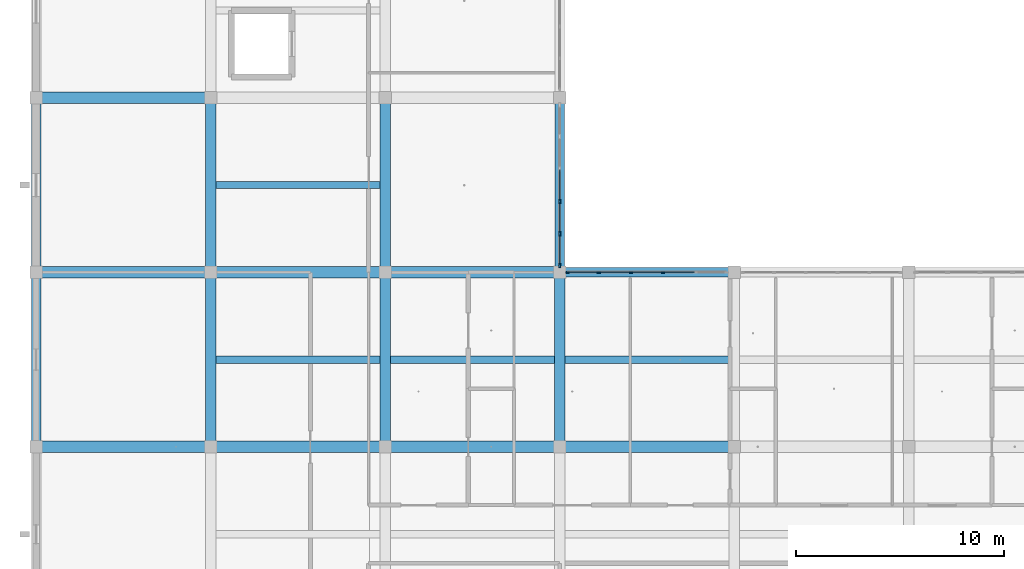
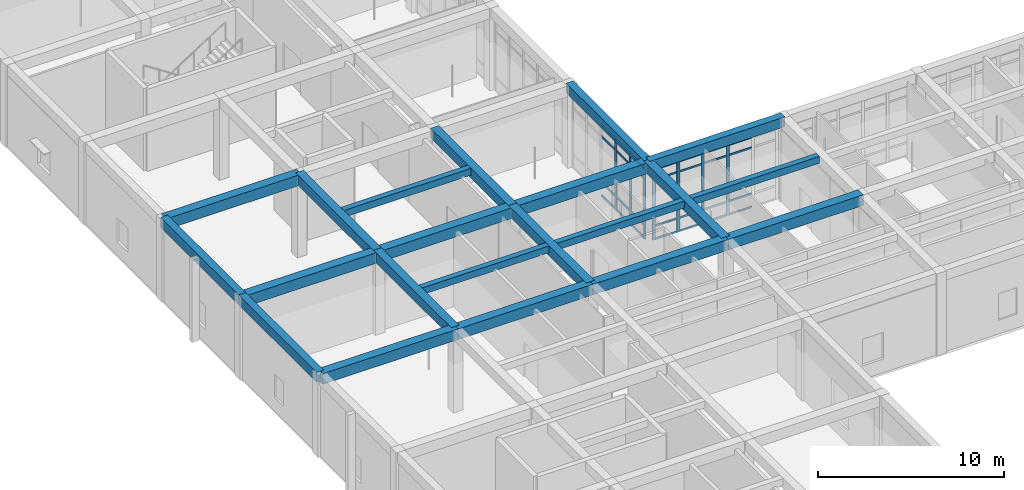
# One storey, part 10 of 157: 35 members, 21 beams, 2 elements without a shape of their own.
"""IFC4 building model written with IfcOpenShell, lengths in metres."""

from ifc_helpers import new_model, si_unit, direction, frame, origin, origin_2d, place, context, subcontext, project, spatial, rectangle, extrude, material, material_profile, profile_set, type_object, element, aggregate, save


model = new_model("IFC4")

# Units and contexts
model_context = context("Model", 3, precision=1e-05, world=origin(), true_north=direction((0.0, 1.0)))
body_context = subcontext(model_context, "Body", "Model", "MODEL_VIEW")
ifc_project = project(units=[si_unit("LENGTHUNIT", "METRE"), si_unit("AREAUNIT", "SQUARE_METRE"), si_unit("VOLUMEUNIT", "CUBIC_METRE"), si_unit("PLANEANGLEUNIT", "RADIAN"), si_unit("MASSUNIT", "GRAM", prefix="KILO")], contexts=[model_context])

# Site, building, storey
site_placement = place(None, origin())
site = spatial("IfcSite", under=ifc_project, at=site_placement, CompositionType="ELEMENT")
building_placement = place(site_placement, origin())
building = spatial("IfcBuilding", under=site, at=building_placement, Name="Varncliffe General Hospital", CompositionType="ELEMENT")
storey_placement = place(building_placement, frame((0.0, 0.0, 5.39990234375)))
storey = spatial("IfcBuildingStorey", under=building, at=storey_placement, Name="L01", CompositionType="ELEMENT", Elevation=5.39990234375)

# Beams
ifc_material_1 = material(Name="Concrete C35/45 (CSA A23.1 35 MPa)", Category="concrete")
ifc_material_profile_1 = material_profile(ifc_material_1, rectangle(XDim=0.5, YDim=0.64990234375, at=origin_2d()), Name="RC 500x650")
ifc_profile_set_1 = profile_set([ifc_material_profile_1], Name="Concrete C35/45 (CSA A23.1 35 MPa)")
beam_type_1 = type_object("IfcBeamType", Name="Beam B29 (Int RC 500x650)", PredefinedType="BEAM", material=ifc_profile_set_1)
beam_1_placement = place(storey_placement, frame((8.39990234375, 32.39990234375, 5.0751953125), z_axis=(0.0, 1.0, 0.0), x_axis=(-1.0, 0.0, 0.0)))
element("IfcBeam", 1, at=beam_1_placement, inside=storey, type_object=beam_type_1, Name="L01 Primary Beam B29-280", PredefinedType="BEAM", context=body_context, shape_type="SweptSolid", body=[
    extrude(rectangle(XDim=0.5, YDim=0.64990234375, at=origin_2d()), origin(), (0.0, 0.0, 1.0), 8.400146484375),
])
beam_2_placement = place(storey_placement, frame((8.39990234375, 40.800048828125, 5.0751953125), z_axis=(0.0, 1.0, 0.0), x_axis=(-1.0, 0.0, 0.0)))
element("IfcBeam", 2, at=beam_2_placement, inside=storey, type_object=beam_type_1, Name="L01 Primary Beam B29-281", PredefinedType="BEAM", context=body_context, shape_type="SweptSolid", body=[
    extrude(rectangle(XDim=0.5, YDim=0.64990234375, at=origin_2d()), origin(), (0.0, 0.0, 1.0), 8.39990234375),
])
beam_3_placement = place(storey_placement, frame((16.800048828125, 32.39990234375, 5.0751953125), z_axis=(0.0, 1.0, 0.0), x_axis=(-1.0, 0.0, 0.0)))
element("IfcBeam", 3, at=beam_3_placement, inside=storey, type_object=beam_type_1, Name="L01 Primary Beam B29-296", PredefinedType="BEAM", context=body_context, shape_type="SweptSolid", body=[
    extrude(rectangle(XDim=0.5, YDim=0.64990234375, at=origin_2d()), origin(), (0.0, 0.0, 1.0), 8.400146484375),
])
beam_4_placement = place(storey_placement, frame((16.800048828125, 40.800048828125, 5.0751953125), z_axis=(0.0, 1.0, 0.0), x_axis=(-1.0, 0.0, 0.0)))
element("IfcBeam", 4, at=beam_4_placement, inside=storey, type_object=beam_type_1, Name="L01 Primary Beam B29-297", PredefinedType="BEAM", context=body_context, shape_type="SweptSolid", body=[
    extrude(rectangle(XDim=0.5, YDim=0.64990234375, at=origin_2d()), origin(), (0.0, 0.0, 1.0), 8.39990234375),
])
beam_5_placement = place(storey_placement, frame((25.199951171875, 32.39990234375, 5.0751953125), z_axis=(0.0, 1.0, 0.0), x_axis=(-1.0, 0.0, 0.0)))
element("IfcBeam", 5, at=beam_5_placement, inside=storey, type_object=beam_type_1, Name="L01 Primary Beam B29-313", PredefinedType="BEAM", context=body_context, shape_type="SweptSolid", body=[
    extrude(rectangle(XDim=0.5, YDim=0.64990234375, at=origin_2d()), origin(), (0.0, 0.0, 1.0), 8.400146484375),
])
ifc_material_profile_2 = material_profile(ifc_material_1, rectangle(XDim=0.550048828125, YDim=0.699951171875, at=origin_2d()), Name="RC 550x700")
ifc_profile_set_2 = profile_set([ifc_material_profile_2], Name="Concrete C35/45 (CSA A23.1 35 MPa)")
beam_type_2 = type_object("IfcBeamType", Name="Beam B35 (Int RC 550x700)", PredefinedType="BEAM", material=ifc_profile_set_2)
beam_6_placement = place(storey_placement, frame((0.0, 32.39990234375, 5.050048828125), z_axis=(1.0, 0.0, 0.0), x_axis=(0.0, 1.0, 0.0)))
element("IfcBeam", 6, at=beam_6_placement, inside=storey, type_object=beam_type_2, Name="L01 Primary Beam B35-40", PredefinedType="BEAM", context=body_context, shape_type="SweptSolid", body=[
    extrude(rectangle(XDim=0.550048828125, YDim=0.699951171875, at=origin_2d()), origin(), (0.0, 0.0, 1.0), 8.39990234375),
])
beam_7_placement = place(storey_placement, frame((8.39990234375, 32.39990234375, 5.050048828125), z_axis=(1.0, 0.0, 0.0), x_axis=(0.0, 1.0, 0.0)))
element("IfcBeam", 7, at=beam_7_placement, inside=storey, type_object=beam_type_2, Name="L01 Primary Beam B35-41", PredefinedType="BEAM", context=body_context, shape_type="SweptSolid", body=[
    extrude(rectangle(XDim=0.550048828125, YDim=0.699951171875, at=origin_2d()), origin(), (0.0, 0.0, 1.0), 8.400146484375),
])
beam_8_placement = place(storey_placement, frame((16.800048828125, 32.39990234375, 5.050048828125), z_axis=(1.0, 0.0, 0.0), x_axis=(0.0, 1.0, 0.0)))
element("IfcBeam", 8, at=beam_8_placement, inside=storey, type_object=beam_type_2, Name="L01 Primary Beam B35-42", PredefinedType="BEAM", context=body_context, shape_type="SweptSolid", body=[
    extrude(rectangle(XDim=0.550048828125, YDim=0.699951171875, at=origin_2d()), origin(), (0.0, 0.0, 1.0), 8.39990234375),
])
beam_9_placement = place(storey_placement, frame((25.199951171875, 32.39990234375, 5.050048828125), z_axis=(1.0, 0.0, 0.0), x_axis=(0.0, 1.0, 0.0)))
element("IfcBeam", 9, at=beam_9_placement, inside=storey, type_object=beam_type_2, Name="L01 Primary Beam B35-43", PredefinedType="BEAM", context=body_context, shape_type="SweptSolid", body=[
    extrude(rectangle(XDim=0.550048828125, YDim=0.699951171875, at=origin_2d()), origin(), (0.0, 0.0, 1.0), 8.400146484375),
])
beam_10_placement = place(storey_placement, frame((0.0, 40.800048828125, 5.050048828125), z_axis=(1.0, 0.0, 0.0), x_axis=(0.0, 1.0, 0.0)))
element("IfcBeam", 10, at=beam_10_placement, inside=storey, type_object=beam_type_2, Name="L01 Primary Beam B35-53", PredefinedType="BEAM", context=body_context, shape_type="SweptSolid", body=[
    extrude(rectangle(XDim=0.550048828125, YDim=0.699951171875, at=origin_2d()), origin(), (0.0, 0.0, 1.0), 8.39990234375),
])
beam_11_placement = place(storey_placement, frame((8.39990234375, 40.800048828125, 5.050048828125), z_axis=(1.0, 0.0, 0.0), x_axis=(0.0, 1.0, 0.0)))
element("IfcBeam", 11, at=beam_11_placement, inside=storey, type_object=beam_type_2, Name="L01 Primary Beam B35-54", PredefinedType="BEAM", context=body_context, shape_type="SweptSolid", body=[
    extrude(rectangle(XDim=0.550048828125, YDim=0.699951171875, at=origin_2d()), origin(), (0.0, 0.0, 1.0), 8.400146484375),
])
for number, where, z_axis, x_axis, name in (
    (12, (16.800048828125, 40.800048828125, 5.050048828125), (1.0, 0.0, 0.0), (0.0, 1.0, 0.0), "L01 Primary Beam B35-55"),
    (13, (0.0, 49.199951171875, 5.050048828125), (1.0, 0.0, 0.0), (0.0, 1.0, 0.0), "L01 Primary Beam B35-67"),
):
    element("IfcBeam", number, at=place(storey_placement, frame(where, z_axis=z_axis, x_axis=x_axis)), inside=storey, type_object=beam_type_2, Name=name, PredefinedType="BEAM", context=body_context, shape_type="SweptSolid", body=[
        extrude(rectangle(XDim=0.550048828125, YDim=0.699951171875, at=origin_2d()), origin(), (0.0, 0.0, 1.0), 8.39990234375),
    ])

# Curtain wall, members
ifc_material_2 = material(Name="Triple low-E argon insulated vision glazing", Category="glass")
curtain_wall_type_1 = type_object("IfcCurtainWallType", Name="Unitised Glazed Curtain Wall CW70 (7724x4640)", PredefinedType="USERDEFINED", material=ifc_material_2)
curtain_wall_1_placement = place(storey_placement, origin())
curtain_wall_1 = element("IfcCurtainWall", 14, at=curtain_wall_1_placement, inside=storey, type_object=curtain_wall_type_1, Name="L01 Glazed Curtain Wall CW70-82", ObjectType="GLAZED CURTAIN WALL", PredefinedType="USERDEFINED")
ifc_material_3 = material(Name="Dark bronze thermally broken aluminium framing", Category="aluminium")
ifc_material_profile_3 = material_profile(ifc_material_3, rectangle(XDim=0.074951171875, YDim=0.179931640625, at=origin_2d()), Name="ALU 75x180")
ifc_profile_set_3 = profile_set([ifc_material_profile_3], Name="Dark bronze thermally broken aluminium framing")
member_type_1 = type_object("IfcMemberType", Name="Curtain Wall Mullion CM44 (ALU 75x180)", PredefinedType="MULLION", material=ifc_profile_set_3)
member_1_placement = place(storey_placement, frame((25.575439453125, 40.800048828125, 0.0), z_axis=(0.0, 0.0, 1.0), x_axis=(0.0, 1.0, 0.0)))
member_1 = element("IfcMember", 15, at=member_1_placement, type_object=member_type_1, Name="CW70 mullion 1", PredefinedType="MULLION", context=body_context, shape_type="SweptSolid", body=[
    extrude(rectangle(XDim=0.074951171875, YDim=0.179931640625, at=origin_2d()), origin(), (0.0, 0.0, 1.0), 4.64013671875),
])
member_2_placement = place(storey_placement, frame((27.082763671875, 40.800048828125, 0.0), z_axis=(0.0, 0.0, 1.0), x_axis=(0.0, 1.0, 0.0)))
member_2 = element("IfcMember", 16, at=member_2_placement, type_object=member_type_1, Name="CW70 mullion 2", PredefinedType="MULLION", context=body_context, shape_type="SweptSolid", body=[
    extrude(rectangle(XDim=0.074951171875, YDim=0.179931640625, at=origin_2d()), origin(), (0.0, 0.0, 1.0), 4.64013671875),
])
member_3_placement = place(storey_placement, frame((28.627685546875, 40.800048828125, 0.0), z_axis=(0.0, 0.0, 1.0), x_axis=(0.0, 1.0, 0.0)))
member_3 = element("IfcMember", 17, at=member_3_placement, type_object=member_type_1, Name="CW70 mullion 3", PredefinedType="MULLION", context=body_context, shape_type="SweptSolid", body=[
    extrude(rectangle(XDim=0.074951171875, YDim=0.179931640625, at=origin_2d()), origin(), (0.0, 0.0, 1.0), 4.64013671875),
])
member_4_placement = place(storey_placement, frame((30.17236328125, 40.800048828125, 0.0), z_axis=(0.0, 0.0, 1.0), x_axis=(0.0, 1.0, 0.0)))
member_4 = element("IfcMember", 18, at=member_4_placement, type_object=member_type_1, Name="CW70 mullion 4", PredefinedType="MULLION", context=body_context, shape_type="SweptSolid", body=[
    extrude(rectangle(XDim=0.074951171875, YDim=0.179931640625, at=origin_2d()), origin(), (0.0, 0.0, 1.0), 4.64013671875),
])

curtain_wall_type_2 = type_object("IfcCurtainWallType", Name="Unitised Glazed Curtain Wall CW85 (7804x4640)", PredefinedType="USERDEFINED", material=ifc_material_2)
curtain_wall_2_placement = place(storey_placement, origin())
curtain_wall_2 = element("IfcCurtainWall", 19, at=curtain_wall_2_placement, inside=storey, type_object=curtain_wall_type_2, Name="L01 Glazed Curtain Wall CW85-81", ObjectType="GLAZED CURTAIN WALL", PredefinedType="USERDEFINED")
ifc_material_profile_4 = material_profile(ifc_material_3, rectangle(XDim=0.074951171875, YDim=0.219970703125, at=origin_2d()), Name="ALU 75x220")
ifc_profile_set_4 = profile_set([ifc_material_profile_4], Name="Dark bronze thermally broken aluminium framing")
member_type_2 = type_object("IfcMemberType", Name="Curtain Wall Mullion CM74 (ALU 75x220)", PredefinedType="MULLION", material=ifc_profile_set_4)
member_5_placement = place(storey_placement, frame((25.199951171875, 44.219482421875, 0.0), z_axis=(0.0, 0.0, 1.0), x_axis=(1.0, 0.0, 0.0)))
member_5 = element("IfcMember", 20, at=member_5_placement, type_object=member_type_2, Name="CW85 mullion 4", PredefinedType="MULLION", context=body_context, shape_type="SweptSolid", body=[
    extrude(rectangle(XDim=0.074951171875, YDim=0.219970703125, at=origin_2d()), origin(), (0.0, 0.0, 1.0), 4.64013671875),
])
member_6_placement = place(storey_placement, frame((25.199951171875, 42.65869140625, 0.0), z_axis=(0.0, 0.0, 1.0), x_axis=(1.0, 0.0, 0.0)))
member_6 = element("IfcMember", 21, at=member_6_placement, type_object=member_type_2, Name="CW85 mullion 5", PredefinedType="MULLION", context=body_context, shape_type="SweptSolid", body=[
    extrude(rectangle(XDim=0.074951171875, YDim=0.219970703125, at=origin_2d()), origin(), (0.0, 0.0, 1.0), 4.64013671875),
])
member_7_placement = place(storey_placement, frame((25.199951171875, 41.135498046875, 0.0), z_axis=(0.0, 0.0, 1.0), x_axis=(1.0, 0.0, 0.0)))
member_7 = element("IfcMember", 22, at=member_7_placement, type_object=member_type_2, Name="CW85 mullion 6", PredefinedType="MULLION", context=body_context, shape_type="SweptSolid", body=[
    extrude(rectangle(XDim=0.074951171875, YDim=0.219970703125, at=origin_2d()), origin(), (0.0, 0.0, 1.0), 4.64013671875),
])

# Member
ifc_material_profile_5 = material_profile(ifc_material_3, rectangle(XDim=0.06005859375, YDim=0.1201171875, at=origin_2d()), Name="ALU 60x120")
ifc_profile_set_5 = profile_set([ifc_material_profile_5], Name="Dark bronze thermally broken aluminium framing")
member_type_3 = type_object("IfcMemberType", Name="Curtain Wall Transom CT14 (ALU 60x120)", PredefinedType="USERDEFINED", material=ifc_profile_set_5)
member_8_placement = place(storey_placement, frame((25.613037109375, 40.800048828125, 0.030029296875), z_axis=(1.0, 0.0, 0.0), x_axis=(0.0, 1.0, 0.0)))
member_8 = element("IfcMember", 23, at=member_8_placement, type_object=member_type_3, Name="CW70 transom 1.1", ObjectType="TRANSOM", PredefinedType="USERDEFINED", context=body_context, shape_type="SweptSolid", body=[
    extrude(rectangle(XDim=0.06005859375, YDim=0.1201171875, at=origin_2d()), origin(), (0.0, 0.0, 1.0), 1.432373046875),
])

member_9_placement = place(storey_placement, frame((25.613037109375, 40.800048828125, 0.900146484375), z_axis=(1.0, 0.0, 0.0), x_axis=(0.0, 1.0, 0.0)))
member_9 = element("IfcMember", 24, at=member_9_placement, type_object=member_type_3, Name="CW70 transom 1.2", ObjectType="TRANSOM", PredefinedType="USERDEFINED", context=body_context, shape_type="SweptSolid", body=[
    extrude(rectangle(XDim=0.06005859375, YDim=0.1201171875, at=origin_2d()), origin(), (0.0, 0.0, 1.0), 1.432373046875),
])

member_10_placement = place(storey_placement, frame((25.613037109375, 40.800048828125, 3.940185546875), z_axis=(1.0, 0.0, 0.0), x_axis=(0.0, 1.0, 0.0)))
member_10 = element("IfcMember", 25, at=member_10_placement, type_object=member_type_3, Name="CW70 transom 1.3", ObjectType="TRANSOM", PredefinedType="USERDEFINED", context=body_context, shape_type="SweptSolid", body=[
    extrude(rectangle(XDim=0.06005859375, YDim=0.1201171875, at=origin_2d()), origin(), (0.0, 0.0, 1.0), 1.432373046875),
])

member_11_placement = place(storey_placement, frame((25.613037109375, 40.800048828125, 4.610107421875), z_axis=(1.0, 0.0, 0.0), x_axis=(0.0, 1.0, 0.0)))
member_11 = element("IfcMember", 26, at=member_11_placement, type_object=member_type_3, Name="CW70 transom 1.4", ObjectType="TRANSOM", PredefinedType="USERDEFINED", context=body_context, shape_type="SweptSolid", body=[
    extrude(rectangle(XDim=0.06005859375, YDim=0.1201171875, at=origin_2d()), origin(), (0.0, 0.0, 1.0), 1.432373046875),
])

member_12_placement = place(storey_placement, frame((27.120361328125, 40.800048828125, 0.030029296875), z_axis=(1.0, 0.0, 0.0), x_axis=(0.0, 1.0, 0.0)))
member_12 = element("IfcMember", 27, at=member_12_placement, type_object=member_type_3, Name="CW70 transom 2.1", ObjectType="TRANSOM", PredefinedType="USERDEFINED", context=body_context, shape_type="SweptSolid", body=[
    extrude(rectangle(XDim=0.06005859375, YDim=0.1201171875, at=origin_2d()), origin(), (0.0, 0.0, 1.0), 1.4697265625),
])

member_13_placement = place(storey_placement, frame((27.120361328125, 40.800048828125, 0.900146484375), z_axis=(1.0, 0.0, 0.0), x_axis=(0.0, 1.0, 0.0)))
member_13 = element("IfcMember", 28, at=member_13_placement, type_object=member_type_3, Name="CW70 transom 2.2", ObjectType="TRANSOM", PredefinedType="USERDEFINED", context=body_context, shape_type="SweptSolid", body=[
    extrude(rectangle(XDim=0.06005859375, YDim=0.1201171875, at=origin_2d()), origin(), (0.0, 0.0, 1.0), 1.4697265625),
])

member_14_placement = place(storey_placement, frame((27.120361328125, 40.800048828125, 3.940185546875), z_axis=(1.0, 0.0, 0.0), x_axis=(0.0, 1.0, 0.0)))
member_14 = element("IfcMember", 29, at=member_14_placement, type_object=member_type_3, Name="CW70 transom 2.3", ObjectType="TRANSOM", PredefinedType="USERDEFINED", context=body_context, shape_type="SweptSolid", body=[
    extrude(rectangle(XDim=0.06005859375, YDim=0.1201171875, at=origin_2d()), origin(), (0.0, 0.0, 1.0), 1.4697265625),
])

member_15_placement = place(storey_placement, frame((27.120361328125, 40.800048828125, 4.610107421875), z_axis=(1.0, 0.0, 0.0), x_axis=(0.0, 1.0, 0.0)))
member_15 = element("IfcMember", 30, at=member_15_placement, type_object=member_type_3, Name="CW70 transom 2.4", ObjectType="TRANSOM", PredefinedType="USERDEFINED", context=body_context, shape_type="SweptSolid", body=[
    extrude(rectangle(XDim=0.06005859375, YDim=0.1201171875, at=origin_2d()), origin(), (0.0, 0.0, 1.0), 1.4697265625),
])

member_16_placement = place(storey_placement, frame((28.6650390625, 40.800048828125, 0.030029296875), z_axis=(1.0, 0.0, 0.0), x_axis=(0.0, 1.0, 0.0)))
member_16 = element("IfcMember", 31, at=member_16_placement, type_object=member_type_3, Name="CW70 transom 3.1", ObjectType="TRANSOM", PredefinedType="USERDEFINED", context=body_context, shape_type="SweptSolid", body=[
    extrude(rectangle(XDim=0.06005859375, YDim=0.1201171875, at=origin_2d()), origin(), (0.0, 0.0, 1.0), 1.469970703125),
])

member_17_placement = place(storey_placement, frame((28.6650390625, 40.800048828125, 0.900146484375), z_axis=(1.0, 0.0, 0.0), x_axis=(0.0, 1.0, 0.0)))
member_17 = element("IfcMember", 32, at=member_17_placement, type_object=member_type_3, Name="CW70 transom 3.2", ObjectType="TRANSOM", PredefinedType="USERDEFINED", context=body_context, shape_type="SweptSolid", body=[
    extrude(rectangle(XDim=0.06005859375, YDim=0.1201171875, at=origin_2d()), origin(), (0.0, 0.0, 1.0), 1.469970703125),
])

member_18_placement = place(storey_placement, frame((28.6650390625, 40.800048828125, 3.940185546875), z_axis=(1.0, 0.0, 0.0), x_axis=(0.0, 1.0, 0.0)))
member_18 = element("IfcMember", 33, at=member_18_placement, type_object=member_type_3, Name="CW70 transom 3.3", ObjectType="TRANSOM", PredefinedType="USERDEFINED", context=body_context, shape_type="SweptSolid", body=[
    extrude(rectangle(XDim=0.06005859375, YDim=0.1201171875, at=origin_2d()), origin(), (0.0, 0.0, 1.0), 1.469970703125),
])

member_19_placement = place(storey_placement, frame((28.6650390625, 40.800048828125, 4.610107421875), z_axis=(1.0, 0.0, 0.0), x_axis=(0.0, 1.0, 0.0)))
member_19 = element("IfcMember", 34, at=member_19_placement, type_object=member_type_3, Name="CW70 transom 3.4", ObjectType="TRANSOM", PredefinedType="USERDEFINED", context=body_context, shape_type="SweptSolid", body=[
    extrude(rectangle(XDim=0.06005859375, YDim=0.1201171875, at=origin_2d()), origin(), (0.0, 0.0, 1.0), 1.469970703125),
])

member_20_placement = place(storey_placement, frame((30.2099609375, 40.800048828125, 0.030029296875), z_axis=(1.0, 0.0, 0.0), x_axis=(0.0, 1.0, 0.0)))
member_20 = element("IfcMember", 35, at=member_20_placement, type_object=member_type_3, Name="CW70 transom 4.1", ObjectType="TRANSOM", PredefinedType="USERDEFINED", context=body_context, shape_type="SweptSolid", body=[
    extrude(rectangle(XDim=0.06005859375, YDim=0.1201171875, at=origin_2d()), origin(), (0.0, 0.0, 1.0), 1.4697265625),
])

member_21_placement = place(storey_placement, frame((30.2099609375, 40.800048828125, 0.900146484375), z_axis=(1.0, 0.0, 0.0), x_axis=(0.0, 1.0, 0.0)))
member_21 = element("IfcMember", 36, at=member_21_placement, type_object=member_type_3, Name="CW70 transom 4.2", ObjectType="TRANSOM", PredefinedType="USERDEFINED", context=body_context, shape_type="SweptSolid", body=[
    extrude(rectangle(XDim=0.06005859375, YDim=0.1201171875, at=origin_2d()), origin(), (0.0, 0.0, 1.0), 1.4697265625),
])

member_22_placement = place(storey_placement, frame((30.2099609375, 40.800048828125, 3.940185546875), z_axis=(1.0, 0.0, 0.0), x_axis=(0.0, 1.0, 0.0)))
member_22 = element("IfcMember", 37, at=member_22_placement, type_object=member_type_3, Name="CW70 transom 4.3", ObjectType="TRANSOM", PredefinedType="USERDEFINED", context=body_context, shape_type="SweptSolid", body=[
    extrude(rectangle(XDim=0.06005859375, YDim=0.1201171875, at=origin_2d()), origin(), (0.0, 0.0, 1.0), 1.4697265625),
])

member_23_placement = place(storey_placement, frame((30.2099609375, 40.800048828125, 4.610107421875), z_axis=(1.0, 0.0, 0.0), x_axis=(0.0, 1.0, 0.0)))
member_23 = element("IfcMember", 38, at=member_23_placement, type_object=member_type_3, Name="CW70 transom 4.4", ObjectType="TRANSOM", PredefinedType="USERDEFINED", context=body_context, shape_type="SweptSolid", body=[
    extrude(rectangle(XDim=0.06005859375, YDim=0.1201171875, at=origin_2d()), origin(), (0.0, 0.0, 1.0), 1.4697265625),
])

aggregate(curtain_wall_1, [member_1, member_2, member_3, member_4, member_8, member_9, member_10, member_11, member_12, member_13, member_14, member_15, member_16, member_17, member_18, member_19, member_20, member_21, member_22, member_23])

ifc_material_profile_6 = material_profile(ifc_material_3, rectangle(XDim=0.06494140625, YDim=0.139892578125, at=origin_2d()), Name="ALU 65x140")
ifc_profile_set_6 = profile_set([ifc_material_profile_6], Name="Dark bronze thermally broken aluminium framing")
member_type_4 = type_object("IfcMemberType", Name="Curtain Wall Transom CT69 (ALU 65x140)", PredefinedType="USERDEFINED", material=ifc_profile_set_6)
member_24_placement = place(storey_placement, frame((25.199951171875, 45.742919921875, 0.03271484375), z_axis=(0.0, -1.0, 0.0), x_axis=(1.0, 0.0, 0.0)))
member_24 = element("IfcMember", 39, at=member_24_placement, type_object=member_type_4, Name="CW85 transom 3.1", ObjectType="TRANSOM", PredefinedType="USERDEFINED", context=body_context, shape_type="SweptSolid", body=[
    extrude(rectangle(XDim=0.06494140625, YDim=0.139892578125, at=origin_2d()), origin(), (0.0, 0.0, 1.0), 1.48583984375),
])

member_25_placement = place(storey_placement, frame((25.199951171875, 45.742919921875, 0.900146484375), z_axis=(0.0, -1.0, 0.0), x_axis=(1.0, 0.0, 0.0)))
member_25 = element("IfcMember", 40, at=member_25_placement, type_object=member_type_4, Name="CW85 transom 3.2", ObjectType="TRANSOM", PredefinedType="USERDEFINED", context=body_context, shape_type="SweptSolid", body=[
    extrude(rectangle(XDim=0.06494140625, YDim=0.139892578125, at=origin_2d()), origin(), (0.0, 0.0, 1.0), 1.48583984375),
])

member_26_placement = place(storey_placement, frame((25.199951171875, 45.742919921875, 3.940185546875), z_axis=(0.0, -1.0, 0.0), x_axis=(1.0, 0.0, 0.0)))
member_26 = element("IfcMember", 41, at=member_26_placement, type_object=member_type_4, Name="CW85 transom 3.3", ObjectType="TRANSOM", PredefinedType="USERDEFINED", context=body_context, shape_type="SweptSolid", body=[
    extrude(rectangle(XDim=0.06494140625, YDim=0.139892578125, at=origin_2d()), origin(), (0.0, 0.0, 1.0), 1.48583984375),
])

member_27_placement = place(storey_placement, frame((25.199951171875, 45.742919921875, 4.607666015625), z_axis=(0.0, -1.0, 0.0), x_axis=(1.0, 0.0, 0.0)))
member_27 = element("IfcMember", 42, at=member_27_placement, type_object=member_type_4, Name="CW85 transom 3.4", ObjectType="TRANSOM", PredefinedType="USERDEFINED", context=body_context, shape_type="SweptSolid", body=[
    extrude(rectangle(XDim=0.06494140625, YDim=0.139892578125, at=origin_2d()), origin(), (0.0, 0.0, 1.0), 1.48583984375),
])

member_28_placement = place(storey_placement, frame((25.199951171875, 44.18212890625, 0.03271484375), z_axis=(0.0, -1.0, 0.0), x_axis=(1.0, 0.0, 0.0)))
member_28 = element("IfcMember", 43, at=member_28_placement, type_object=member_type_4, Name="CW85 transom 4.1", ObjectType="TRANSOM", PredefinedType="USERDEFINED", context=body_context, shape_type="SweptSolid", body=[
    extrude(rectangle(XDim=0.06494140625, YDim=0.139892578125, at=origin_2d()), origin(), (0.0, 0.0, 1.0), 1.48583984375),
])

member_29_placement = place(storey_placement, frame((25.199951171875, 44.18212890625, 0.900146484375), z_axis=(0.0, -1.0, 0.0), x_axis=(1.0, 0.0, 0.0)))
member_29 = element("IfcMember", 44, at=member_29_placement, type_object=member_type_4, Name="CW85 transom 4.2", ObjectType="TRANSOM", PredefinedType="USERDEFINED", context=body_context, shape_type="SweptSolid", body=[
    extrude(rectangle(XDim=0.06494140625, YDim=0.139892578125, at=origin_2d()), origin(), (0.0, 0.0, 1.0), 1.48583984375),
])

member_30_placement = place(storey_placement, frame((25.199951171875, 44.18212890625, 3.940185546875), z_axis=(0.0, -1.0, 0.0), x_axis=(1.0, 0.0, 0.0)))
member_30 = element("IfcMember", 45, at=member_30_placement, type_object=member_type_4, Name="CW85 transom 4.3", ObjectType="TRANSOM", PredefinedType="USERDEFINED", context=body_context, shape_type="SweptSolid", body=[
    extrude(rectangle(XDim=0.06494140625, YDim=0.139892578125, at=origin_2d()), origin(), (0.0, 0.0, 1.0), 1.48583984375),
])

member_31_placement = place(storey_placement, frame((25.199951171875, 44.18212890625, 4.607666015625), z_axis=(0.0, -1.0, 0.0), x_axis=(1.0, 0.0, 0.0)))
member_31 = element("IfcMember", 46, at=member_31_placement, type_object=member_type_4, Name="CW85 transom 4.4", ObjectType="TRANSOM", PredefinedType="USERDEFINED", context=body_context, shape_type="SweptSolid", body=[
    extrude(rectangle(XDim=0.06494140625, YDim=0.139892578125, at=origin_2d()), origin(), (0.0, 0.0, 1.0), 1.48583984375),
])

member_32_placement = place(storey_placement, frame((25.199951171875, 42.621337890625, 0.03271484375), z_axis=(0.0, -1.0, 0.0), x_axis=(1.0, 0.0, 0.0)))
member_32 = element("IfcMember", 47, at=member_32_placement, type_object=member_type_4, Name="CW85 transom 5.1", ObjectType="TRANSOM", PredefinedType="USERDEFINED", context=body_context, shape_type="SweptSolid", body=[
    extrude(rectangle(XDim=0.06494140625, YDim=0.139892578125, at=origin_2d()), origin(), (0.0, 0.0, 1.0), 1.4482421875),
])

member_33_placement = place(storey_placement, frame((25.199951171875, 42.621337890625, 0.900146484375), z_axis=(0.0, -1.0, 0.0), x_axis=(1.0, 0.0, 0.0)))
member_33 = element("IfcMember", 48, at=member_33_placement, type_object=member_type_4, Name="CW85 transom 5.2", ObjectType="TRANSOM", PredefinedType="USERDEFINED", context=body_context, shape_type="SweptSolid", body=[
    extrude(rectangle(XDim=0.06494140625, YDim=0.139892578125, at=origin_2d()), origin(), (0.0, 0.0, 1.0), 1.4482421875),
])

member_34_placement = place(storey_placement, frame((25.199951171875, 42.621337890625, 3.940185546875), z_axis=(0.0, -1.0, 0.0), x_axis=(1.0, 0.0, 0.0)))
member_34 = element("IfcMember", 49, at=member_34_placement, type_object=member_type_4, Name="CW85 transom 5.3", ObjectType="TRANSOM", PredefinedType="USERDEFINED", context=body_context, shape_type="SweptSolid", body=[
    extrude(rectangle(XDim=0.06494140625, YDim=0.139892578125, at=origin_2d()), origin(), (0.0, 0.0, 1.0), 1.4482421875),
])

member_35_placement = place(storey_placement, frame((25.199951171875, 42.621337890625, 4.607666015625), z_axis=(0.0, -1.0, 0.0), x_axis=(1.0, 0.0, 0.0)))
member_35 = element("IfcMember", 50, at=member_35_placement, type_object=member_type_4, Name="CW85 transom 5.4", ObjectType="TRANSOM", PredefinedType="USERDEFINED", context=body_context, shape_type="SweptSolid", body=[
    extrude(rectangle(XDim=0.06494140625, YDim=0.139892578125, at=origin_2d()), origin(), (0.0, 0.0, 1.0), 1.4482421875),
])

aggregate(curtain_wall_2, [member_5, member_6, member_7, member_24, member_25, member_26, member_27, member_28, member_29, member_30, member_31, member_32, member_33, member_34, member_35])

# Beams
ifc_material_profile_7 = material_profile(ifc_material_1, rectangle(XDim=0.35009765625, YDim=0.449951171875, at=origin_2d()), Name="RC 350x450")
ifc_profile_set_7 = profile_set([ifc_material_profile_7], Name="Concrete C35/45 (CSA A23.1 35 MPa)")
beam_type_3 = type_object("IfcBeamType", Name="Joist J55 (Int RC 350x450)", PredefinedType="JOIST", material=ifc_profile_set_7)
for number, where, z_axis, x_axis, name in (
    (51, (8.64794921875, 36.60009765625, 5.175048828125), (1.0, 0.0, 0.0), (0.0, 1.0, 0.0), "L01 Secondary Floor Rib J55-4"),
    (52, (8.64794921875, 45.0, 5.175048828125), (1.0, 0.0, 0.0), (0.0, 1.0, 0.0), "L01 Secondary Floor Rib J55-5"),
):
    element("IfcBeam", number, at=place(storey_placement, frame(where, z_axis=z_axis, x_axis=x_axis)), inside=storey, type_object=beam_type_3, Name=name, PredefinedType="JOIST", context=body_context, shape_type="SweptSolid", body=[
        extrude(rectangle(XDim=0.35009765625, YDim=0.449951171875, at=origin_2d()), origin(), (0.0, 0.0, 1.0), 7.904052734375),
    ])
beam_12_placement = place(storey_placement, frame((17.048095703125, 36.60009765625, 5.175048828125), z_axis=(1.0, 0.0, 0.0), x_axis=(0.0, 1.0, 0.0)))
element("IfcBeam", 53, at=beam_12_placement, inside=storey, type_object=beam_type_3, Name="L01 Secondary Floor Rib J55-12", PredefinedType="JOIST", context=body_context, shape_type="SweptSolid", body=[
    extrude(rectangle(XDim=0.35009765625, YDim=0.449951171875, at=origin_2d()), origin(), (0.0, 0.0, 1.0), 7.90380859375),
])
beam_13_placement = place(storey_placement, frame((25.447998046875, 36.60009765625, 5.175048828125), z_axis=(1.0, 0.0, 0.0), x_axis=(0.0, 1.0, 0.0)))
element("IfcBeam", 54, at=beam_13_placement, inside=storey, type_object=beam_type_3, Name="L01 Secondary Floor Rib J55-16", PredefinedType="JOIST", context=body_context, shape_type="SweptSolid", body=[
    extrude(rectangle(XDim=0.35009765625, YDim=0.449951171875, at=origin_2d()), origin(), (0.0, 0.0, 1.0), 7.904052734375),
])
ifc_material_profile_8 = material_profile(ifc_material_1, rectangle(XDim=0.449951171875, YDim=0.64990234375, at=origin_2d()), Name="RC 450x650")
ifc_profile_set_8 = profile_set([ifc_material_profile_8], Name="Concrete C35/45 (CSA A23.1 35 MPa)")
beam_type_4 = type_object("IfcBeamType", Name="Spandrel SP38 (Ext RC 450x650B)", PredefinedType="SPANDREL", material=ifc_profile_set_8)
for number, where, z_axis, x_axis, name in (
    (55, (25.199951171875, 40.800048828125, 5.0751953125), (1.0, 0.0, 0.0), (0.0, 1.0, 0.0), "L01 Spandrel Beam SP38-56"),
    (56, (0.0, 32.39990234375, 5.0751953125), (0.0, 1.0, 0.0), (-1.0, 0.0, 0.0), "L01 Spandrel Beam SP38-263"),
):
    element("IfcBeam", number, at=place(storey_placement, frame(where, z_axis=z_axis, x_axis=x_axis)), inside=storey, type_object=beam_type_4, Name=name, PredefinedType="SPANDREL", context=body_context, shape_type="SweptSolid", body=[
        extrude(rectangle(XDim=0.449951171875, YDim=0.64990234375, at=origin_2d()), origin(), (0.0, 0.0, 1.0), 8.400146484375),
    ])
for number, where, z_axis, x_axis, name in (
    (57, (0.0, 40.800048828125, 5.0751953125), (0.0, 1.0, 0.0), (-1.0, 0.0, 0.0), "L01 Spandrel Beam SP38-264"),
    (58, (25.199951171875, 40.800048828125, 5.0751953125), (0.0, 1.0, 0.0), (-1.0, 0.0, 0.0), "L01 Spandrel Beam SP38-314"),
):
    element("IfcBeam", number, at=place(storey_placement, frame(where, z_axis=z_axis, x_axis=x_axis)), inside=storey, type_object=beam_type_4, Name=name, PredefinedType="SPANDREL", context=body_context, shape_type="SweptSolid", body=[
        extrude(rectangle(XDim=0.449951171875, YDim=0.64990234375, at=origin_2d()), origin(), (0.0, 0.0, 1.0), 8.39990234375),
    ])

save(model, "model.ifc")
